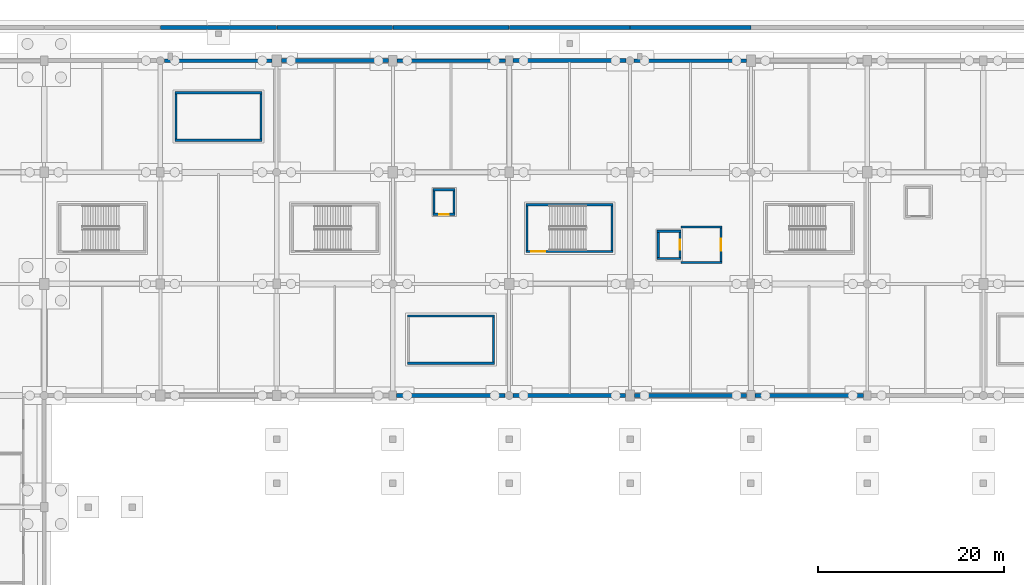
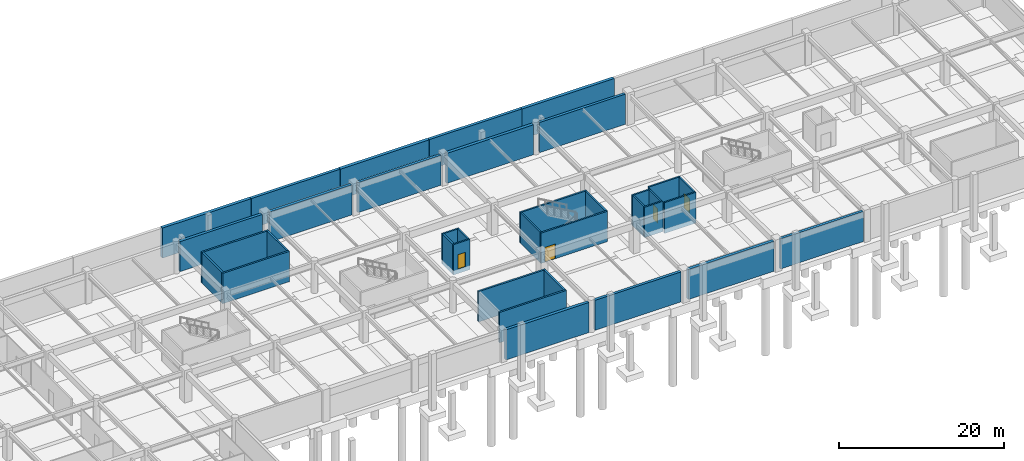
# One storey, part 37 of 56: 36 walls, 4 doors, 4 openings.
"""IFC4 building model written with IfcOpenShell, lengths in metres."""

from ifc_helpers import new_model, si_unit, direction, frame, frame_2d, origin, place, context, subcontext, project, spatial, rectangle, extrude, material, layer, layer_set, type_object, element, fill, save


model = new_model("IFC4")

# Units and contexts
model_context = context("Model", 3, precision=1e-05, world=origin(), true_north=direction((0.0, 1.0)))
body_context = subcontext(model_context, "Body", "Model", "MODEL_VIEW")
ifc_project = project(units=[si_unit("LENGTHUNIT", "METRE"), si_unit("AREAUNIT", "SQUARE_METRE"), si_unit("VOLUMEUNIT", "CUBIC_METRE"), si_unit("PLANEANGLEUNIT", "RADIAN"), si_unit("MASSUNIT", "GRAM", prefix="KILO")], contexts=[model_context])

# Site, building, storey
site_placement = place(None, origin())
site = spatial("IfcSite", under=ifc_project, at=site_placement, CompositionType="ELEMENT")
building_placement = place(site_placement, origin())
building = spatial("IfcBuilding", under=site, at=building_placement, Name="Kazenohara Klinker Stadium", CompositionType="ELEMENT")
storey_placement = place(building_placement, frame((0.0, 0.0, -4.800048828125)))
storey = spatial("IfcBuildingStorey", under=building, at=storey_placement, Name="B01", CompositionType="ELEMENT", Elevation=-4.800048828125)

# Walls
ifc_material_1 = material(Name="Concrete C40/50", Category="concrete")
ifc_layer_1 = layer(ifc_material_1, 0.39990234375)
ifc_layer_set_1 = layer_set([ifc_layer_1], Name="Concrete C40/50")
wall_type_1 = type_object("IfcWallType", Name="WAL-B01-PLINTH400", PredefinedType="USERDEFINED", material=ifc_layer_set_1)
wall_1_placement = place(storey_placement, frame((74.02001953125, 171.580078125, 0.0), z_axis=(0.0, 0.0, 1.0), x_axis=(1.0, 0.0, 0.0)))
element("IfcWall", 1, at=wall_1_placement, inside=storey, type_object=wall_type_1, Name="Street plinth retaining wall RW04 North-07", ObjectType="RETAINING WALL", PredefinedType="USERDEFINED", context=body_context, shape_type="SweptSolid", body=[
    extrude(rectangle(XDim=12.4599609375, YDim=0.39990234375, at=frame_2d((6.22998046875, 0.0))), origin(), (0.0, 0.0, 1.0), 4.4599609375),
])
wall_2_placement = place(storey_placement, frame((99.02001953125, 171.580078125, 0.0), z_axis=(0.0, 0.0, 1.0), x_axis=(1.0, 0.0, 0.0)))
element("IfcWall", 2, at=wall_2_placement, inside=storey, type_object=wall_type_1, Name="Street plinth retaining wall RW04 North-09", ObjectType="RETAINING WALL", PredefinedType="USERDEFINED", context=body_context, shape_type="SweptSolid", body=[
    extrude(rectangle(XDim=12.9599609375, YDim=0.39990234375, at=frame_2d((6.47998046875, 0.0))), origin(), (0.0, 0.0, 1.0), 4.4599609375),
])
ifc_layer_2 = layer(ifc_material_1, 0.43994140625)
ifc_layer_set_2 = layer_set([ifc_layer_2], Name="Concrete C40/50")
wall_type_2 = type_object("IfcWallType", Name="WAL-B01-PLINTH440", PredefinedType="USERDEFINED", material=ifc_layer_set_2)
for number, where, z_axis, x_axis, name in (
    (3, (61.52001953125, 171.580078125, 0.0), (0.0, 0.0, 1.0), (1.0, 0.0, 0.0), "Street plinth retaining wall RW03 North-06"),
    (4, (86.52001953125, 171.580078125, 0.0), (0.0, 0.0, 1.0), (1.0, 0.0, 0.0), "Street plinth retaining wall RW03 North-08"),
):
    element("IfcWall", number, at=place(storey_placement, frame(where, z_axis=z_axis, x_axis=x_axis)), inside=storey, type_object=wall_type_2, Name=name, ObjectType="RETAINING WALL", PredefinedType="USERDEFINED", context=body_context, shape_type="SweptSolid", body=[
        extrude(rectangle(XDim=12.4599609375, YDim=0.43994140625, at=frame_2d((6.22998046875, 0.0))), origin(), (0.0, 0.0, 1.0), 4.4599609375),
    ])
wall_3_placement = place(storey_placement, frame((112.02001953125, 171.580078125, 0.0), z_axis=(0.0, 0.0, 1.0), x_axis=(1.0, 0.0, 0.0)))
element("IfcWall", 5, at=wall_3_placement, inside=storey, type_object=wall_type_2, Name="Street plinth retaining wall RW03 North-10", ObjectType="RETAINING WALL", PredefinedType="USERDEFINED", context=body_context, shape_type="SweptSolid", body=[
    extrude(rectangle(XDim=12.9599609375, YDim=0.43994140625, at=frame_2d((6.47998046875, 0.0))), origin(), (0.0, 0.0, 1.0), 4.4599609375),
])
ifc_layer_3 = layer(ifc_material_1, 0.3798828125)
ifc_layer_set_3 = layer_set([ifc_layer_3], Name="Concrete C40/50")
wall_type_3 = type_object("IfcWallType", Name="WAL-B01-RET380", PredefinedType="STANDARD", material=ifc_layer_set_3)
wall_4_placement = place(storey_placement, frame((61.928955078125, 168.0, 0.0), z_axis=(0.0, 0.0, 1.0), x_axis=(1.0, 0.0, 0.0)))
element("IfcWall", 6, at=wall_4_placement, inside=storey, type_object=wall_type_3, Name="Basement perimeter retaining wall RW02 X-05-14", PredefinedType="STANDARD", context=body_context, shape_type="SweptSolid", body=[
    extrude(rectangle(XDim=11.567138671875, YDim=0.3798828125, at=frame_2d((5.78369140625, 0.0))), origin(), (0.0, 0.0, 1.0), 4.4599609375),
])
wall_5_placement = place(storey_placement, frame((86.9541015625, 168.0, 0.0), z_axis=(0.0, 0.0, 1.0), x_axis=(1.0, 0.0, 0.0)))
element("IfcWall", 7, at=wall_5_placement, inside=storey, type_object=wall_type_3, Name="Basement perimeter retaining wall RW02 X-07-14", PredefinedType="STANDARD", context=body_context, shape_type="SweptSolid", body=[
    extrude(rectangle(XDim=11.641845703125, YDim=0.3798828125, at=frame_2d((5.82080078125, 0.0))), origin(), (0.0, 0.0, 1.0), 4.4599609375),
])
for number, where, z_axis, x_axis, name in (
    (8, (99.428955078125, 132.0, 0.0), (0.0, 0.0, 1.0), (1.0, 0.0, 0.0), "Basement perimeter retaining wall RW02 X-08-11"),
    (9, (112.428955078125, 168.0, 0.0), (0.0, 0.0, 1.0), (1.0, 0.0, 0.0), "Basement perimeter retaining wall RW02 X-09-14"),
):
    element("IfcWall", number, at=place(storey_placement, frame(where, z_axis=z_axis, x_axis=x_axis)), inside=storey, type_object=wall_type_3, Name=name, PredefinedType="STANDARD", context=body_context, shape_type="SweptSolid", body=[
        extrude(rectangle(XDim=12.067138671875, YDim=0.3798828125, at=frame_2d((6.03369140625, 0.0))), origin(), (0.0, 0.0, 1.0), 4.4599609375),
    ])
wall_6_placement = place(storey_placement, frame((125.4541015625, 132.0, 0.0), z_axis=(0.0, 0.0, 1.0), x_axis=(1.0, 0.0, 0.0)))
element("IfcWall", 10, at=wall_6_placement, inside=storey, type_object=wall_type_3, Name="Basement perimeter retaining wall RW02 X-10-11", PredefinedType="STANDARD", context=body_context, shape_type="SweptSolid", body=[
    extrude(rectangle(XDim=11.641845703125, YDim=0.3798828125, at=frame_2d((5.82080078125, 0.0))), origin(), (0.0, 0.0, 1.0), 4.4599609375),
])
ifc_layer_4 = layer(ifc_material_1, 0.419921875)
ifc_layer_set_4 = layer_set([ifc_layer_4], Name="Concrete C40/50")
wall_type_4 = type_object("IfcWallType", Name="WAL-B01-RET420", PredefinedType="STANDARD", material=ifc_layer_set_4)
wall_7_placement = place(storey_placement, frame((74.50390625, 168.0, 0.0), z_axis=(0.0, 0.0, 1.0), x_axis=(1.0, 0.0, 0.0)))
element("IfcWall", 11, at=wall_7_placement, inside=storey, type_object=wall_type_4, Name="Basement perimeter retaining wall RW01 X-06-14", PredefinedType="STANDARD", context=body_context, shape_type="SweptSolid", body=[
    extrude(rectangle(XDim=11.5419921875, YDim=0.419921875, at=frame_2d((5.77099609375, 0.0))), origin(), (0.0, 0.0, 1.0), 4.4599609375),
])
wall_8_placement = place(storey_placement, frame((86.904052734375, 132.0, 0.0), z_axis=(0.0, 0.0, 1.0), x_axis=(1.0, 0.0, 0.0)))
element("IfcWall", 12, at=wall_8_placement, inside=storey, type_object=wall_type_4, Name="Basement perimeter retaining wall RW01 X-07-11", PredefinedType="STANDARD", context=body_context, shape_type="SweptSolid", body=[
    extrude(rectangle(XDim=11.6669921875, YDim=0.419921875, at=frame_2d((5.83349609375, 0.0))), origin(), (0.0, 0.0, 1.0), 4.4599609375),
])
wall_9_placement = place(storey_placement, frame((99.404052734375, 168.0, 0.0), z_axis=(0.0, 0.0, 1.0), x_axis=(1.0, 0.0, 0.0)))
element("IfcWall", 13, at=wall_9_placement, inside=storey, type_object=wall_type_4, Name="Basement perimeter retaining wall RW01 X-08-14", PredefinedType="STANDARD", context=body_context, shape_type="SweptSolid", body=[
    extrude(rectangle(XDim=12.1669921875, YDim=0.419921875, at=frame_2d((6.08349609375, 0.0))), origin(), (0.0, 0.0, 1.0), 4.4599609375),
])
wall_10_placement = place(storey_placement, frame((112.50390625, 132.0, 0.0), z_axis=(0.0, 0.0, 1.0), x_axis=(1.0, 0.0, 0.0)))
element("IfcWall", 14, at=wall_10_placement, inside=storey, type_object=wall_type_4, Name="Basement perimeter retaining wall RW01 X-09-11", PredefinedType="STANDARD", context=body_context, shape_type="SweptSolid", body=[
    extrude(rectangle(XDim=12.0419921875, YDim=0.419921875, at=frame_2d((6.02099609375, 0.0))), origin(), (0.0, 0.0, 1.0), 4.4599609375),
])

# Wall, opening, door
ifc_layer_5 = layer(ifc_material_1, 0.22998046875)
ifc_layer_set_5 = layer_set([ifc_layer_5], Name="Concrete C40/50")
wall_type_5 = type_object("IfcWallType", Name="WAL-CORE-230", PredefinedType="SHEAR", material=ifc_layer_set_5)
wall_11_placement = place(storey_placement, frame((100.820068359375, 147.485107421875, 0.0), z_axis=(0.0, 0.0, 1.0), x_axis=(1.0, 0.0, 0.0)))
wall_11 = element("IfcWall", 15, at=wall_11_placement, inside=storey, type_object=wall_type_5, Name="Stairwell shear wall ST10 B01 South", PredefinedType="SHEAR", context=body_context, shape_type="SweptSolid", body=[
    extrude(rectangle(XDim=9.35986328125, YDim=0.22998046875, at=frame_2d((4.679931640625, 0.0))), origin(), (0.0, 0.0, 1.0), 4.5),
])
opening_1_placement = place(wall_11_placement, frame((0.550048828125, 0.0, 0.0)))
opening_1 = element("IfcOpeningElement", 16, at=opening_1_placement, cuts=wall_11, Name="Opening SD02", PredefinedType="OPENING", context=body_context, shape_type="SweptSolid", body=[
    extrude(rectangle(XDim=1.5, YDim=2.199951171875, at=frame_2d((0.75, 1.10009765625))), frame((0.0, 0.125, 0.0), z_axis=(0.0, -1.0, 0.0), x_axis=(1.0, 0.0, 0.0)), (0.0, 0.0, 1.0), 0.25),
])
ifc_material_2 = material(Name="Flush painted steel fire door leaf", Category="steel")
door_type_1 = type_object("IfcDoorType", Name="DR-STR-1500x2200", OperationType="NOTDEFINED", PredefinedType="DOOR", material=ifc_material_2)
door_1_placement = place(opening_1_placement, origin())
door_1 = element("IfcDoor", 17, at=door_1_placement, inside=storey, type_object=door_type_1, Name="Escape stairwell fire door ST10-B01", OperationType="SINGLE_SWING_RIGHT", OverallHeight=2.199951171875, OverallWidth=1.5, PredefinedType="DOOR", context=body_context, shape_type="SweptSolid", body=[
    extrude(rectangle(XDim=1.5, YDim=2.199951171875, at=frame_2d((0.75, 1.10009765625))), frame((0.0, 0.02490234375, 0.0), z_axis=(0.0, -1.0, 0.0), x_axis=(1.0, 0.0, 0.0)), (0.0, 0.0, 1.0), 0.050048828125),
])
fill(opening_1, door_1)

# Walls
wall_12_placement = place(storey_placement, frame((100.820068359375, 152.514892578125, 0.0), z_axis=(0.0, 0.0, 1.0), x_axis=(1.0, 0.0, 0.0)))
element("IfcWall", 18, at=wall_12_placement, inside=storey, type_object=wall_type_5, Name="Stairwell shear wall ST10 B01 North", PredefinedType="SHEAR", context=body_context, shape_type="SweptSolid", body=[
    extrude(rectangle(XDim=9.35986328125, YDim=0.22998046875, at=frame_2d((4.679931640625, 0.0))), origin(), (0.0, 0.0, 1.0), 4.5),
])
for number, where, z_axis, x_axis, name in (
    (19, (100.93505859375, 147.60009765625, 0.0), (0.0, 0.0, 1.0), (0.0, 1.0, 0.0), "Stairwell shear wall ST10 B01 West"),
    (20, (110.06494140625, 147.60009765625, 0.0), (0.0, 0.0, 1.0), (0.0, 1.0, 0.0), "Stairwell shear wall ST10 B01 East"),
):
    element("IfcWall", number, at=place(storey_placement, frame(where, z_axis=z_axis, x_axis=x_axis)), inside=storey, type_object=wall_type_5, Name=name, PredefinedType="SHEAR", context=body_context, shape_type="SweptSolid", body=[
        extrude(rectangle(XDim=4.7998046875, YDim=0.22998046875, at=frame_2d((2.39990234375, 0.0))), origin(), (0.0, 0.0, 1.0), 4.5),
    ])
for number, where, z_axis, x_axis, name in (
    (21, (114.919921875, 146.735107421875, -0.64990234375), (0.0, 0.0, 1.0), (1.0, 0.0, 0.0), "Elevator shaft wall LF04 B01 South"),
    (22, (114.919921875, 149.6650390625, -0.64990234375), (0.0, 0.0, 1.0), (1.0, 0.0, 0.0), "Elevator shaft wall LF04 B01 North"),
):
    element("IfcWall", number, at=place(storey_placement, frame(where, z_axis=z_axis, x_axis=x_axis)), inside=storey, type_object=wall_type_5, Name=name, PredefinedType="SHEAR", context=body_context, shape_type="SweptSolid", body=[
        extrude(rectangle(XDim=2.56005859375, YDim=0.22998046875, at=frame_2d((1.280029296875, 0.0))), origin(), (0.0, 0.0, 1.0), 4.5),
    ])
wall_13_placement = place(storey_placement, frame((115.034912109375, 146.85009765625, -0.64990234375), z_axis=(0.0, 0.0, 1.0), x_axis=(0.0, 1.0, 0.0)))
element("IfcWall", 23, at=wall_13_placement, inside=storey, type_object=wall_type_5, Name="Elevator shaft wall LF04 B01 West", PredefinedType="SHEAR", context=body_context, shape_type="SweptSolid", body=[
    extrude(rectangle(XDim=2.699951171875, YDim=0.22998046875, at=frame_2d((1.35009765625, 0.0))), origin(), (0.0, 0.0, 1.0), 4.5),
])

# Wall, opening, door
wall_14_placement = place(storey_placement, frame((117.364990234375, 146.85009765625, -0.64990234375), z_axis=(0.0, 0.0, 1.0), x_axis=(0.0, 1.0, 0.0)))
wall_14 = element("IfcWall", 24, at=wall_14_placement, inside=storey, type_object=wall_type_5, Name="Elevator shaft wall LF04 B01 East", PredefinedType="SHEAR", context=body_context, shape_type="SweptSolid", body=[
    extrude(rectangle(XDim=2.699951171875, YDim=0.22998046875, at=frame_2d((1.35009765625, 0.0))), origin(), (0.0, 0.0, 1.0), 4.5),
])
opening_2_placement = place(wall_14_placement, frame((0.800048828125, 0.0, 0.64990234375)))
opening_2 = element("IfcOpeningElement", 25, at=opening_2_placement, cuts=wall_14, Name="Opening LD01", PredefinedType="OPENING", context=body_context, shape_type="SweptSolid", body=[
    extrude(rectangle(XDim=1.10009765625, YDim=2.14990234375, at=frame_2d((0.550048828125, 1.074951171875))), frame((0.0, 0.125, 0.0), z_axis=(0.0, -1.0, 0.0), x_axis=(1.0, 0.0, 0.0)), (0.0, 0.0, 1.0), 0.25),
])
ifc_material_3 = material(Name="Stainless steel fire-rated sliding landing door", Category="steel")
door_type_2 = type_object("IfcDoorType", Name="DR-LD01-1100x2150", OperationType="NOTDEFINED", PredefinedType="DOOR", material=ifc_material_3)
door_2_placement = place(opening_2_placement, origin())
door_2 = element("IfcDoor", 26, at=door_2_placement, inside=storey, type_object=door_type_2, Name="Elevator sliding landing door LF04-B01", OperationType="DOUBLE_DOOR_SLIDING", OverallHeight=2.14990234375, OverallWidth=1.10009765625, PredefinedType="DOOR", context=body_context, shape_type="SweptSolid", body=[
    extrude(rectangle(XDim=1.10009765625, YDim=2.14990234375, at=frame_2d((0.550048828125, 1.074951171875))), frame((0.0, 0.02490234375, 0.0), z_axis=(0.0, -1.0, 0.0), x_axis=(1.0, 0.0, 0.0)), (0.0, 0.0, 1.0), 0.050048828125),
])
fill(opening_2, door_2)

wall_15_placement = place(storey_placement, frame((90.820068359375, 151.485107421875, -0.64990234375), z_axis=(0.0, 0.0, 1.0), x_axis=(1.0, 0.0, 0.0)))
wall_15 = element("IfcWall", 27, at=wall_15_placement, inside=storey, type_object=wall_type_5, Name="Elevator shaft wall LP04 B01 South", PredefinedType="SHEAR", context=body_context, shape_type="SweptSolid", body=[
    extrude(rectangle(XDim=2.35986328125, YDim=0.22998046875, at=frame_2d((1.179931640625, 0.0))), origin(), (0.0, 0.0, 1.0), 4.5),
])
opening_3_placement = place(wall_15_placement, frame((0.679931640625, 0.0, 0.64990234375)))
opening_3 = element("IfcOpeningElement", 28, at=opening_3_placement, cuts=wall_15, Name="Opening LD02", PredefinedType="OPENING", context=body_context, shape_type="SweptSolid", body=[
    extrude(rectangle(XDim=1.0, YDim=2.14990234375, at=frame_2d((0.5, 1.074951171875))), frame((0.0, 0.125, 0.0), z_axis=(0.0, -1.0, 0.0), x_axis=(1.0, 0.0, 0.0)), (0.0, 0.0, 1.0), 0.25),
])
ifc_material_4 = material(Name="Stainless steel sliding landing door", Category="steel")
door_type_3 = type_object("IfcDoorType", Name="DR-LD02-1000x2150", OperationType="NOTDEFINED", PredefinedType="DOOR", material=ifc_material_4)
door_3_placement = place(opening_3_placement, origin())
door_3 = element("IfcDoor", 29, at=door_3_placement, inside=storey, type_object=door_type_3, Name="Elevator sliding landing door LP04-B01", OperationType="DOUBLE_DOOR_SLIDING", OverallHeight=2.14990234375, OverallWidth=1.0, PredefinedType="DOOR", context=body_context, shape_type="SweptSolid", body=[
    extrude(rectangle(XDim=1.0, YDim=2.14990234375, at=frame_2d((0.5, 1.074951171875))), frame((0.0, 0.02490234375, 0.0), z_axis=(0.0, -1.0, 0.0), x_axis=(1.0, 0.0, 0.0)), (0.0, 0.0, 1.0), 0.050048828125),
])
fill(opening_3, door_3)

# Walls
wall_16_placement = place(storey_placement, frame((90.820068359375, 154.114990234375, -0.64990234375), z_axis=(0.0, 0.0, 1.0), x_axis=(1.0, 0.0, 0.0)))
element("IfcWall", 30, at=wall_16_placement, inside=storey, type_object=wall_type_5, Name="Elevator shaft wall LP04 B01 North", PredefinedType="SHEAR", context=body_context, shape_type="SweptSolid", body=[
    extrude(rectangle(XDim=2.35986328125, YDim=0.22998046875, at=frame_2d((1.179931640625, 0.0))), origin(), (0.0, 0.0, 1.0), 4.5),
])
for number, where, z_axis, x_axis, name in (
    (31, (90.93505859375, 151.60009765625, -0.64990234375), (0.0, 0.0, 1.0), (0.0, 1.0, 0.0), "Elevator shaft wall LP04 B01 West"),
    (32, (93.06494140625, 151.60009765625, -0.64990234375), (0.0, 0.0, 1.0), (0.0, 1.0, 0.0), "Elevator shaft wall LP04 B01 East"),
):
    element("IfcWall", number, at=place(storey_placement, frame(where, z_axis=z_axis, x_axis=x_axis)), inside=storey, type_object=wall_type_5, Name=name, PredefinedType="SHEAR", context=body_context, shape_type="SweptSolid", body=[
        extrude(rectangle(XDim=2.39990234375, YDim=0.22998046875, at=frame_2d((1.199951171875, 0.0))), origin(), (0.0, 0.0, 1.0), 4.5),
    ])
ifc_layer_6 = layer(ifc_material_1, 0.25)
ifc_layer_set_6 = layer_set([ifc_layer_6], Name="Concrete C40/50")
wall_type_6 = type_object("IfcWallType", Name="WAL-CORE-250", PredefinedType="SHEAR", material=ifc_layer_set_6)
for number, where, z_axis, x_axis, name in (
    (33, (63.050048828125, 159.455078125, 0.0), (0.0, 0.0, 1.0), (1.0, 0.0, 0.0), "Stairwell shear wall ST15 B01 South"),
    (34, (63.050048828125, 164.544921875, 0.0), (0.0, 0.0, 1.0), (1.0, 0.0, 0.0), "Stairwell shear wall ST15 B01 North"),
):
    element("IfcWall", number, at=place(storey_placement, frame(where, z_axis=z_axis, x_axis=x_axis)), inside=storey, type_object=wall_type_6, Name=name, PredefinedType="SHEAR", context=body_context, shape_type="SweptSolid", body=[
        extrude(rectangle(XDim=9.39990234375, YDim=0.25, at=frame_2d((4.699951171875, 0.0))), origin(), (0.0, 0.0, 1.0), 4.5),
    ])
for number, where, z_axis, x_axis, name in (
    (35, (63.175048828125, 159.580078125, 0.0), (0.0, 0.0, 1.0), (0.0, 1.0, 0.0), "Stairwell shear wall ST15 B01 West"),
    (36, (72.324951171875, 159.580078125, 0.0), (0.0, 0.0, 1.0), (0.0, 1.0, 0.0), "Stairwell shear wall ST15 B01 East"),
):
    element("IfcWall", number, at=place(storey_placement, frame(where, z_axis=z_axis, x_axis=x_axis)), inside=storey, type_object=wall_type_6, Name=name, PredefinedType="SHEAR", context=body_context, shape_type="SweptSolid", body=[
        extrude(rectangle(XDim=4.83984375, YDim=0.25, at=frame_2d((2.419921875, 0.0))), origin(), (0.0, 0.0, 1.0), 4.5),
    ])
for number, where, z_axis, x_axis, name in (
    (37, (88.050048828125, 135.455078125, 0.0), (0.0, 0.0, 1.0), (1.0, 0.0, 0.0), "Stairwell shear wall ST19 B01 South"),
    (38, (88.050048828125, 140.544921875, 0.0), (0.0, 0.0, 1.0), (1.0, 0.0, 0.0), "Stairwell shear wall ST19 B01 North"),
):
    element("IfcWall", number, at=place(storey_placement, frame(where, z_axis=z_axis, x_axis=x_axis)), inside=storey, type_object=wall_type_6, Name=name, PredefinedType="SHEAR", context=body_context, shape_type="SweptSolid", body=[
        extrude(rectangle(XDim=9.39990234375, YDim=0.25, at=frame_2d((4.699951171875, 0.0))), origin(), (0.0, 0.0, 1.0), 4.5),
    ])
wall_17_placement = place(storey_placement, frame((97.324951171875, 135.580078125, 0.0), z_axis=(0.0, 0.0, 1.0), x_axis=(0.0, 1.0, 0.0)))
element("IfcWall", 39, at=wall_17_placement, inside=storey, type_object=wall_type_6, Name="Stairwell shear wall ST19 B01 East", PredefinedType="SHEAR", context=body_context, shape_type="SweptSolid", body=[
    extrude(rectangle(XDim=4.83984375, YDim=0.25, at=frame_2d((2.419921875, 0.0))), origin(), (0.0, 0.0, 1.0), 4.5),
])
ifc_layer_7 = layer(ifc_material_1, 0.219970703125)
ifc_layer_set_7 = layer_set([ifc_layer_7], Name="Concrete C40/50")
wall_type_7 = type_object("IfcWallType", Name="WAL-INT-FF220", PredefinedType="SOLIDWALL", material=ifc_layer_set_7)
for number, where, z_axis, x_axis, name in (
    (40, (117.47998046875, 146.2900390625, -0.64990234375), (0.0, 0.0, 1.0), (1.0, 0.0, 0.0), "Firefighting lobby wall LF04 B01 South"),
    (41, (117.47998046875, 150.110107421875, -0.64990234375), (0.0, 0.0, 1.0), (1.0, 0.0, 0.0), "Firefighting lobby wall LF04 B01 North"),
):
    element("IfcWall", number, at=place(storey_placement, frame(where, z_axis=z_axis, x_axis=x_axis)), inside=storey, type_object=wall_type_7, Name=name, PredefinedType="SOLIDWALL", context=body_context, shape_type="SweptSolid", body=[
        extrude(rectangle(XDim=4.419921875, YDim=0.219970703125, at=frame_2d((2.2099609375, 0.0))), origin(), (0.0, 0.0, 1.0), 4.570068359375),
    ])

# Wall, opening, door
wall_18_placement = place(storey_placement, frame((121.7900390625, 146.39990234375, -0.64990234375), z_axis=(0.0, 0.0, 1.0), x_axis=(0.0, 1.0, 0.0)))
wall_18 = element("IfcWall", 42, at=wall_18_placement, inside=storey, type_object=wall_type_7, Name="Firefighting lobby front wall LF04 B01", PredefinedType="SOLIDWALL", context=body_context, shape_type="SweptSolid", body=[
    extrude(rectangle(XDim=3.60009765625, YDim=0.219970703125, at=frame_2d((1.800048828125, 0.0))), origin(), (0.0, 0.0, 1.0), 4.570068359375),
])
opening_4_placement = place(wall_18_placement, frame((1.14990234375, 0.0, 0.64990234375)))
opening_4 = element("IfcOpeningElement", 43, at=opening_4_placement, cuts=wall_18, Name="Opening FD01", PredefinedType="OPENING", context=body_context, shape_type="SweptSolid", body=[
    extrude(rectangle(XDim=1.300048828125, YDim=2.14990234375, at=frame_2d((0.64990234375, 1.074951171875))), frame((0.0, 0.1201171875, 0.0), z_axis=(0.0, -1.0, 0.0), x_axis=(1.0, 0.0, 0.0)), (0.0, 0.0, 1.0), 0.239990234375),
])
ifc_material_5 = material(Name="Smoke-sealed steel fire lobby door", Category="steel")
door_type_4 = type_object("IfcDoorType", Name="DR-FFL-1300x2150", OperationType="NOTDEFINED", PredefinedType="DOOR", material=ifc_material_5)
door_4_placement = place(opening_4_placement, origin())
door_4 = element("IfcDoor", 44, at=door_4_placement, inside=storey, type_object=door_type_4, Name="Firefighting lobby smoke-sealed door LF04-B01", OperationType="SINGLE_SWING_RIGHT", OverallHeight=2.14990234375, OverallWidth=1.300048828125, PredefinedType="DOOR", context=body_context, shape_type="SweptSolid", body=[
    extrude(rectangle(XDim=1.300048828125, YDim=2.14990234375, at=frame_2d((0.64990234375, 1.074951171875))), frame((0.0, 0.02490234375, 0.0), z_axis=(0.0, -1.0, 0.0), x_axis=(1.0, 0.0, 0.0)), (0.0, 0.0, 1.0), 0.050048828125),
])
fill(opening_4, door_4)

save(model, "model.ifc")
